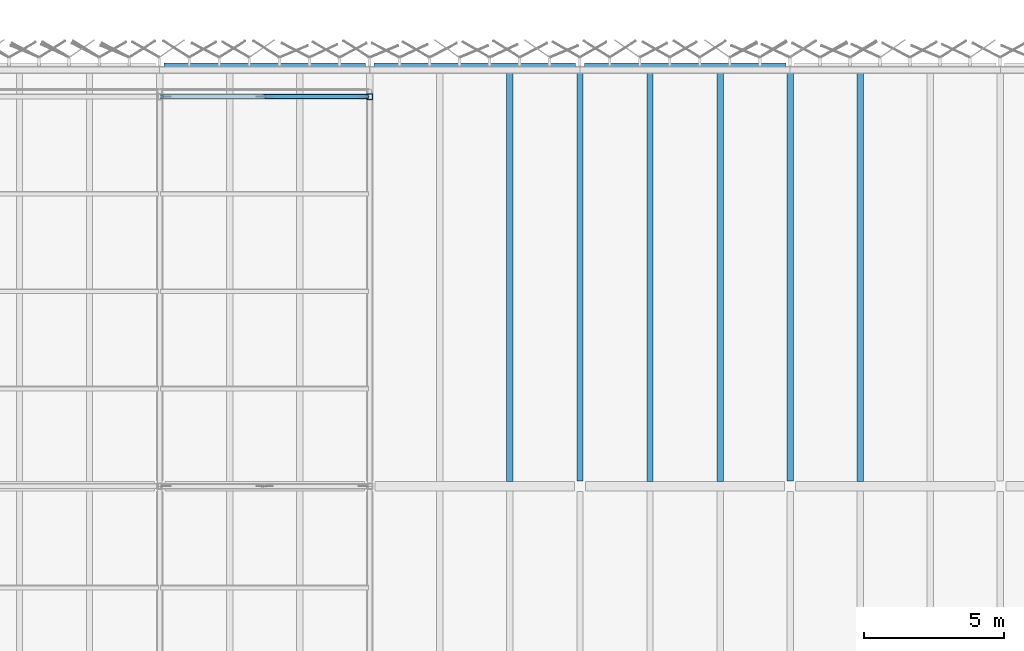
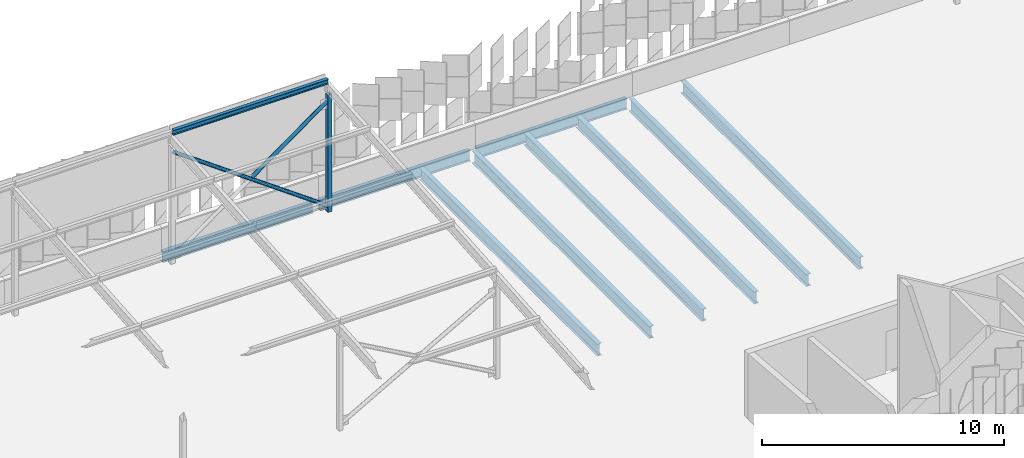
# One storey, part 96 of 483: 9 beams, 4 members.
"""IFC4 building model written with IfcOpenShell, lengths in metres."""

from ifc_helpers import new_model, si_unit, direction, frame, origin, origin_2d, place, context, subcontext, project, spatial, hollow_rectangle, hollow_circle, i_section, extrude, material, material_profile, profile_set, type_object, element, save


model = new_model("IFC4")

# Units and contexts
model_context = context("Model", 3, precision=1e-05, world=origin(), true_north=direction((0.0, 1.0)))
body_context = subcontext(model_context, "Body", "Model", "MODEL_VIEW")
ifc_project = project(units=[si_unit("LENGTHUNIT", "METRE"), si_unit("AREAUNIT", "SQUARE_METRE"), si_unit("VOLUMEUNIT", "CUBIC_METRE"), si_unit("PLANEANGLEUNIT", "RADIAN"), si_unit("MASSUNIT", "GRAM", prefix="KILO")], contexts=[model_context])

# Site, building, storey
site_placement = place(None, origin())
site = spatial("IfcSite", under=ifc_project, at=site_placement, CompositionType="ELEMENT")
building_placement = place(site_placement, origin())
building = spatial("IfcBuilding", under=site, at=building_placement, Name="Parallax Yard Mobility Hub", CompositionType="ELEMENT")
storey_placement = place(building_placement, frame((0.0, 0.0, 13.199951171875)))
storey = spatial("IfcBuildingStorey", under=building, at=storey_placement, Name="L04", CompositionType="ELEMENT", Elevation=13.199951171875)

# Members
ifc_material_1 = material(Name="Steel ASTM A500 Gr C", Category="steel")
ifc_material_profile_1 = material_profile(ifc_material_1, hollow_circle(Radius=0.0888671875, WallThickness=0.0078125, at=origin_2d()), Name="HSS177.8x7.9")
ifc_profile_set_1 = profile_set([ifc_material_profile_1], Name="Steel ASTM A500 Gr C")
member_type_1 = type_object("IfcMemberType", Name="Canopy brace HSS177.8x7.9", PredefinedType="BRACE", material=ifc_profile_set_1)
member_1_placement = place(storey_placement, frame((59.913330078125, 141.39990234375, 0.300048828125), z_axis=(-0.812229364316, 0.0, 0.583338203569), x_axis=(0.0, -1.0, 0.0)))
element("IfcMember", 1, at=member_1_placement, inside=storey, type_object=member_type_1, Name="Canopy X brace RC bay N-A bay 4 diagonal B", PredefinedType="BRACE", context=body_context, shape_type="SweptSolid", body=[
    extrude(hollow_circle(Radius=0.0888671875, WallThickness=0.0078125, at=origin_2d()), origin(), (0.0, 0.0, 1.0), 9.0205078125),
])
member_2_placement = place(storey_placement, frame((56.318115234375, 141.39990234375, 2.97998046875), z_axis=(0.812232602015, 0.0, 0.58333369543), x_axis=(0.0, 1.0, 0.0)))
element("IfcMember", 2, at=member_2_placement, inside=storey, type_object=member_type_1, Name="Canopy X brace RC bay N-A bay 4 diagonal A part 2", PredefinedType="BRACE", context=body_context, shape_type="SweptSolid", body=[
    extrude(hollow_circle(Radius=0.0888671875, WallThickness=0.0078125, at=origin_2d()), origin(), (0.0, 0.0, 1.0), 4.42626953125),
])
ifc_material_profile_2 = material_profile(ifc_material_1, hollow_rectangle(XDim=0.203125, YDim=0.203125, WallThickness=0.009521484375, at=origin_2d()), Name="HSS203x203x9.5")
ifc_profile_set_2 = profile_set([ifc_material_profile_2], Name="Steel ASTM A500 Gr C")
member_type_2 = type_object("IfcMemberType", Name="Canopy post HSS203x203x9.5", PredefinedType="POST", material=ifc_profile_set_2)
member_3_placement = place(storey_placement, frame((60.0, 141.39990234375, 0.0), z_axis=(0.0, 0.0, 1.0), x_axis=(1.0, 0.0, 0.0)))
element("IfcMember", 3, at=member_3_placement, inside=storey, type_object=member_type_2, Name="Canopy post RC/N-A5", PredefinedType="POST", context=body_context, shape_type="SweptSolid", body=[
    extrude(hollow_rectangle(XDim=0.203125, YDim=0.203125, WallThickness=0.009521484375, at=origin_2d()), origin(), (0.0, 0.0, 1.0), 5.922119140625),
])
ifc_material_2 = material(Name="Steel ASTM A992", Category="steel")
ifc_material_profile_3 = material_profile(ifc_material_2, i_section(OverallWidth=0.14794921875, OverallDepth=0.26611328125, WebThickness=0.007568359375, FlangeThickness=0.012939453125, at=origin_2d()), Name="W250x45")
ifc_profile_set_3 = profile_set([ifc_material_profile_3], Name="Steel ASTM A992")
member_type_3 = type_object("IfcMemberType", Name="Canopy purlin W250x45", PredefinedType="PURLIN", material=ifc_profile_set_3)
member_4_placement = place(storey_placement, frame((52.5400390625, 141.41064453125, 6.573974609375), z_axis=(1.0, 0.0, 0.0), x_axis=(0.0, 0.996815308126, 0.079744852409)))
element("IfcMember", 4, at=member_4_placement, inside=storey, type_object=member_type_3, Name="Canopy purlin sector N-A bay 4 line 9", PredefinedType="PURLIN", context=body_context, shape_type="SweptSolid", body=[
    extrude(i_section(OverallWidth=0.14794921875, OverallDepth=0.26611328125, WebThickness=0.007568359375, FlangeThickness=0.012939453125, at=origin_2d()), origin(), (0.0, 0.0, 1.0), 7.419921875),
])

# Beams
ifc_material_profile_4 = material_profile(ifc_material_2, i_section(OverallWidth=0.208984375, OverallDepth=0.532958984375, WebThickness=0.01025390625, FlangeThickness=0.015625, FilletRadius=0.0126953125, at=origin_2d()), Name="W530x92")
ifc_profile_set_4 = profile_set([ifc_material_profile_4], Name="Steel ASTM A992")
beam_type_1 = type_object("IfcBeamType", Name="W530x92 edge beam", PredefinedType="SPANDREL", material=ifc_profile_set_4)
for number, where, z_axis, x_axis, name in (
    (5, (52.652587890625, 142.5, -0.406494140625), (1.0, 0.0, 0.0), (0.0, 1.0, 0.0), "Edge beam SB5 level L04, line V of ramped parking decks, span 4"),
    (6, (60.152587890625, 142.5, -0.406494140625), (1.0, 0.0, 0.0), (0.0, 1.0, 0.0), "Edge beam SB5 level L04, line V of ramped parking decks, span 5"),
    (7, (67.652587890625, 142.5, -0.406494140625), (1.0, 0.0, 0.0), (0.0, 1.0, 0.0), "Edge beam SB5 level L04, line V of ramped parking decks, span 6"),
):
    element("IfcBeam", number, at=place(storey_placement, frame(where, z_axis=z_axis, x_axis=x_axis)), inside=storey, type_object=beam_type_1, Name=name, PredefinedType="SPANDREL", context=body_context, shape_type="SweptSolid", body=[
        extrude(i_section(OverallWidth=0.208984375, OverallDepth=0.532958984375, WebThickness=0.01025390625, FlangeThickness=0.015625, FilletRadius=0.0126953125, at=origin_2d()), origin(), (0.0, 0.0, 1.0), 7.19482421875),
    ])
ifc_material_profile_5 = material_profile(ifc_material_2, i_section(OverallWidth=0.22802734375, OverallDepth=0.60205078125, WebThickness=0.010498046875, FlangeThickness=0.014892578125, FilletRadius=0.0126953125, at=origin_2d()), Name="W610x101")
ifc_profile_set_5 = profile_set([ifc_material_profile_5], Name="Steel ASTM A992")
beam_type_2 = type_object("IfcBeamType", Name="W610x101 secondary beam", PredefinedType="JOIST", material=ifc_profile_set_5)
for number, where, z_axis, x_axis, name in (
    (8, (70.0, 127.66259765625, -0.44091796875), (0.0, 1.0, 0.0), (-1.0, 0.0, 0.0), "Secondary beam B3 level L04, 2.5 m east of line 10 of ramped parking decks, span 2"),
    (9, (77.5, 127.66259765625, -0.44091796875), (0.0, 1.0, 0.0), (-1.0, 0.0, 0.0), "Secondary beam B3 level L04, 2.5 m east of line 11 of ramped parking decks, span 2"),
    (10, (72.5, 127.66259765625, -0.44091796875), (0.0, 1.0, 0.0), (-1.0, 0.0, 0.0), "Secondary beam B3 level L04, 5 m east of line 10 of ramped parking decks, span 2"),
    (11, (65.0, 127.66259765625, -0.44091796875), (0.0, 1.0, 0.0), (-1.0, 0.0, 0.0), "Secondary beam B3 level L04, 5 m east of line 9 of ramped parking decks, span 2"),
):
    element("IfcBeam", number, at=place(storey_placement, frame(where, z_axis=z_axis, x_axis=x_axis)), inside=storey, type_object=beam_type_2, Name=name, PredefinedType="JOIST", context=body_context, shape_type="SweptSolid", body=[
        extrude(i_section(OverallWidth=0.22802734375, OverallDepth=0.60205078125, WebThickness=0.010498046875, FlangeThickness=0.014892578125, FilletRadius=0.0126953125, at=origin_2d()), origin(), (0.0, 0.0, 1.0), 14.73291015625),
    ])
ifc_material_profile_6 = material_profile(ifc_material_2, i_section(OverallWidth=0.22900390625, OverallDepth=0.612060546875, WebThickness=0.011962890625, FlangeThickness=0.01953125, FilletRadius=0.0126953125, at=origin_2d()), Name="W610x125")
ifc_profile_set_6 = profile_set([ifc_material_profile_6], Name="Steel ASTM A992")
beam_type_3 = type_object("IfcBeamType", Name="W610x125 girder", PredefinedType="BEAM", material=ifc_profile_set_6)
beam_1_placement = place(storey_placement, frame((67.5, 127.68798828125, -0.446044921875), z_axis=(0.0, 1.0, 0.0), x_axis=(-1.0, 0.0, 0.0)))
element("IfcBeam", 12, at=beam_1_placement, inside=storey, type_object=beam_type_3, Name="Girder G3 level L04, line 10 of ramped parking decks, span 2", PredefinedType="BEAM", context=body_context, shape_type="SweptSolid", body=[
    extrude(i_section(OverallWidth=0.22900390625, OverallDepth=0.612060546875, WebThickness=0.011962890625, FlangeThickness=0.01953125, FilletRadius=0.0126953125, at=origin_2d()), origin(), (0.0, 0.0, 1.0), 14.658447265625),
])
beam_2_placement = place(storey_placement, frame((75.0, 127.6904296875, -0.446044921875), z_axis=(0.0, 1.0, 0.0), x_axis=(-1.0, 0.0, 0.0)))
element("IfcBeam", 13, at=beam_2_placement, inside=storey, type_object=beam_type_3, Name="Girder G3 level L04, line 11 of ramped parking decks, span 2", PredefinedType="BEAM", context=body_context, shape_type="SweptSolid", body=[
    extrude(i_section(OverallWidth=0.22900390625, OverallDepth=0.612060546875, WebThickness=0.011962890625, FlangeThickness=0.01953125, FilletRadius=0.0126953125, at=origin_2d()), origin(), (0.0, 0.0, 1.0), 14.656005859375),
])

save(model, "model.ifc")
